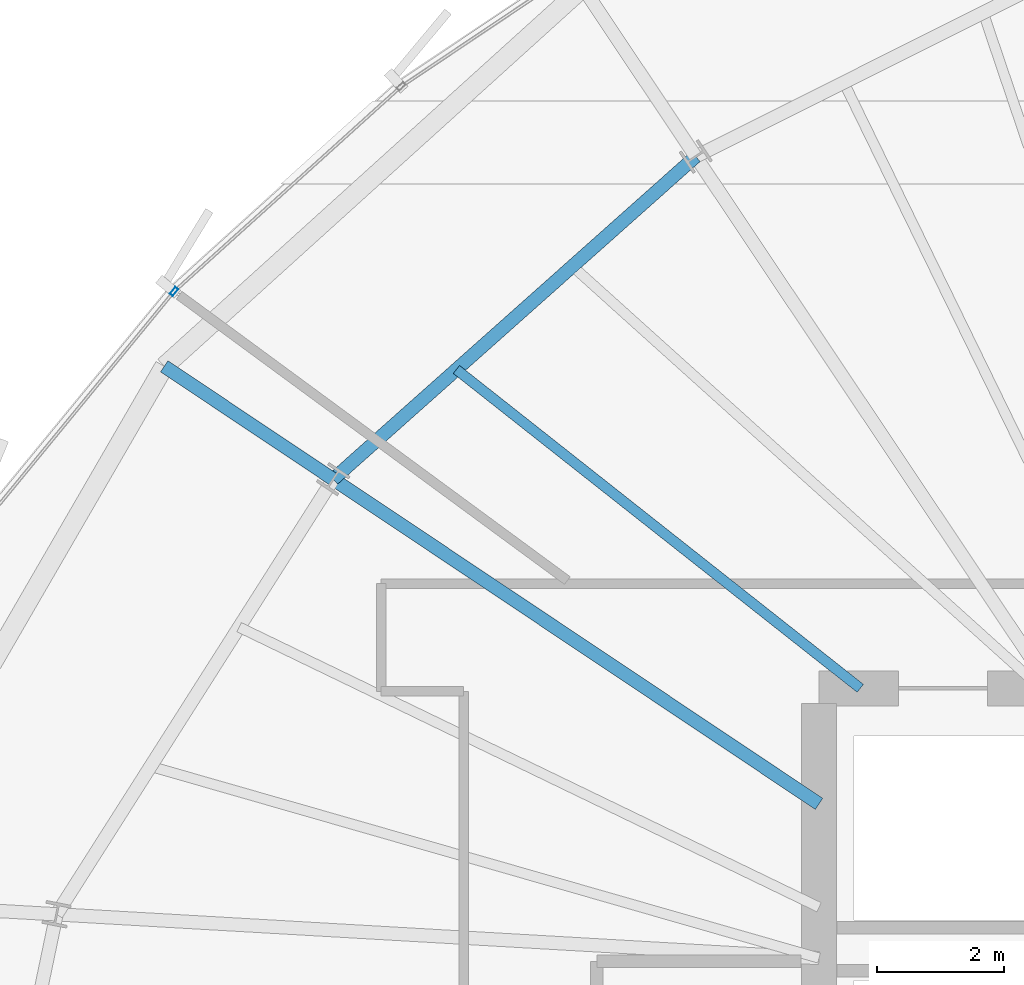
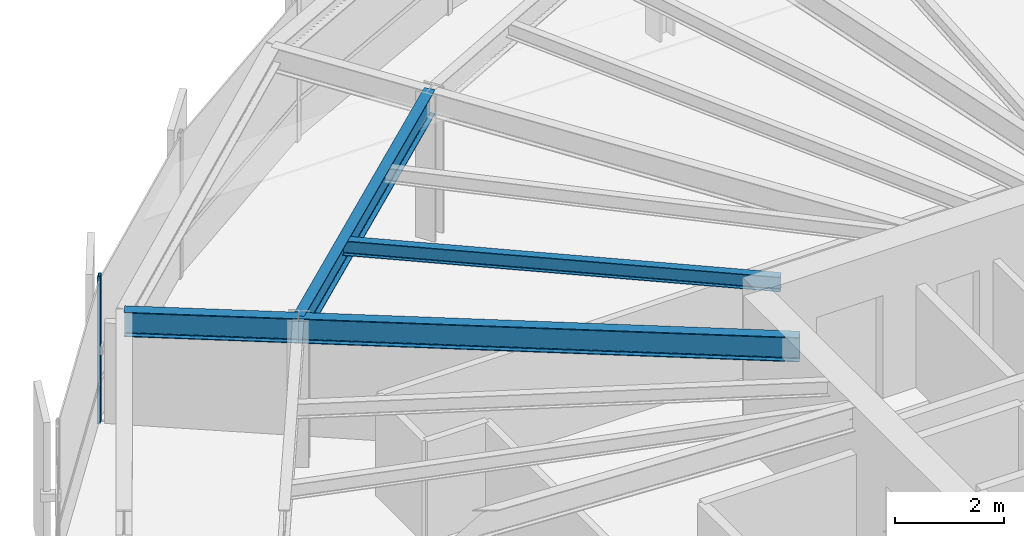
# One storey, part 18 of 34: 4 beams, 1 member, 1 element without a shape of its own.
"""IFC4 building model written with IfcOpenShell, lengths in metres."""

from ifc_helpers import new_model, si_unit, direction, frame, origin, origin_2d, place, context, subcontext, project, spatial, hollow_rectangle, i_section, extrude, source, transform, mapped, material, layer, layer_set, material_profile, profile_set, type_object, element, aggregate, save


model = new_model("IFC4")

# Units and contexts
model_context = context("Model", 3, precision=1e-05, world=origin(), true_north=direction((0.0, 1.0)))
body_context = subcontext(model_context, "Body", "Model", "MODEL_VIEW")
ifc_project = project(units=[si_unit("LENGTHUNIT", "METRE"), si_unit("AREAUNIT", "SQUARE_METRE"), si_unit("VOLUMEUNIT", "CUBIC_METRE"), si_unit("PLANEANGLEUNIT", "RADIAN"), si_unit("MASSUNIT", "GRAM", prefix="KILO"), si_unit("THERMODYNAMICTEMPERATUREUNIT", "KELVIN")], contexts=[model_context])

# Site, building, storey
site_placement = place(None, origin())
site = spatial("IfcSite", under=ifc_project, at=site_placement, CompositionType="ELEMENT")
building_placement = place(site_placement, origin())
building = spatial("IfcBuilding", under=site, at=building_placement, Name="Kethvar Cultural Tower", CompositionType="ELEMENT")
storey_placement = place(building_placement, frame((0.0, 0.0, 153.64990234375)))
storey = spatial("IfcBuildingStorey", under=building, at=storey_placement, Name="L39", CompositionType="ELEMENT", Elevation=153.64990234375)

# Beams
ifc_material_1 = material(Name="Steel S355J2", Category="steel")
ifc_material_profile_1 = material_profile(ifc_material_1, i_section(OverallWidth=0.2099609375, OverallDepth=0.550048828125, WebThickness=0.010986328125, FlangeThickness=0.01708984375, FilletRadius=0.02392578125, at=origin_2d()), Name="Steel S355J2 — IPE550")
ifc_profile_set_1 = profile_set([ifc_material_profile_1], Name="Steel S355J2 — IPE550")
beam_type_1 = type_object("IfcBeamType", Name="BM-IPE550", PredefinedType="BEAM", material=ifc_profile_set_1)
shared_shape_1 = source(origin(), body_context, "Body", "SweptSolid", [
    extrude(i_section(OverallWidth=0.2099609375, OverallDepth=0.550048828125, WebThickness=0.010986328125, FlangeThickness=0.01708984375, FilletRadius=0.02392578125, at=origin_2d()), origin(), (0.0, 0.0, 1.0), 3.199951171875),
])
beam_1_placement = place(storey_placement, frame((30.345947265625, 38.794189453125, 3.023193359375), z_axis=(-0.831462943996, 0.555580212716, 0.0), x_axis=(-0.555580212716, -0.831462943996, 0.0)))
element("IfcBeam", 1, at=beam_1_placement, inside=storey, type_object=beam_type_1, Name="L39 Perimeter Cantilever Beam RC-07", PredefinedType="BEAM", context=body_context, shape_type="MappedRepresentation", body=[
    mapped(shared_shape_1, transform((0.0, 0.0, 0.0), scale=1.0)),
])
shared_shape_2 = source(origin(), body_context, "Body", "SweptSolid", [
    extrude(i_section(OverallWidth=0.2099609375, OverallDepth=0.550048828125, WebThickness=0.010986328125, FlangeThickness=0.01708984375, FilletRadius=0.02392578125, at=origin_2d()), origin(), (0.0, 0.0, 1.0), 9.205322265625),
])
beam_2_placement = place(storey_placement, frame((38.0, 33.679931640625, 3.023193359375), z_axis=(-0.831470451236, 0.555568977465, 0.0), x_axis=(-0.555568977465, -0.831470451236, 0.0)))
element("IfcBeam", 2, at=beam_2_placement, inside=storey, type_object=beam_type_1, Name="L39 Primary Radial Beam RB-07", PredefinedType="BEAM", context=body_context, shape_type="MappedRepresentation", body=[
    mapped(shared_shape_2, transform((0.0, 0.0, 0.0), scale=1.0)),
])
shared_shape_3 = source(origin(), body_context, "Body", "SweptSolid", [
    extrude(i_section(OverallWidth=0.2099609375, OverallDepth=0.550048828125, WebThickness=0.010986328125, FlangeThickness=0.01708984375, FilletRadius=0.02392578125, at=origin_2d()), origin(), (0.0, 0.0, 1.0), 7.64599609375),
])
beam_3_placement = place(storey_placement, frame((36.0576171875, 43.877197265625, 3.023193359375), z_axis=(-0.747021617367, -0.66479974668, 0.0), x_axis=(0.66479974668, -0.747021617367, 0.0)))
element("IfcBeam", 3, at=beam_3_placement, inside=storey, type_object=beam_type_1, Name="L39 Column Ring Tie Beam CR-06", PredefinedType="BEAM", context=body_context, shape_type="MappedRepresentation", body=[
    mapped(shared_shape_3, transform((0.0, 0.0, 0.0), scale=1.0)),
])
ifc_material_profile_2 = material_profile(ifc_material_1, i_section(OverallWidth=0.159912109375, OverallDepth=0.330078125, WebThickness=0.007568359375, FlangeThickness=0.011474609375, FilletRadius=0.01806640625, at=origin_2d()), Name="Steel S355J2 — IPE330")
ifc_profile_set_2 = profile_set([ifc_material_profile_2], Name="Steel S355J2 — IPE330")
beam_type_2 = type_object("IfcBeamType", Name="BM-J330", PredefinedType="JOIST", material=ifc_profile_set_2)
shared_shape_4 = source(origin(), body_context, "Body", "SweptSolid", [
    extrude(i_section(OverallWidth=0.159912109375, OverallDepth=0.330078125, WebThickness=0.007568359375, FlangeThickness=0.011474609375, FilletRadius=0.01806640625, at=origin_2d()), origin(), (0.0, 0.0, 1.0), 8.105712890625),
])
beam_4_placement = place(storey_placement, frame((38.64990234375, 35.5, 3.133056640625), z_axis=(-0.784895872164, 0.619627686486, 0.0), x_axis=(-0.619627686486, -0.784895872164, 0.0)))
element("IfcBeam", 4, at=beam_4_placement, inside=storey, type_object=beam_type_2, Name="L39 Composite Floor Joist J-06B", PredefinedType="JOIST", context=body_context, shape_type="MappedRepresentation", body=[
    mapped(shared_shape_4, transform((0.0, 0.0, 0.0), scale=1.0)),
])

# Curtain wall, member
ifc_material_2 = material(Name="Aluminium 6063-T6", Category="aluminium")
ifc_layer = layer(ifc_material_2, 0.179931640625, Name="Aluminium 6063-T6", Category="aluminium")
ifc_layer_set = layer_set([ifc_layer], Name="Aluminium 6063-T6 (180 mm)")
curtain_wall_type = type_object("IfcCurtainWallType", Name="CW-SYS-04-Z34", PredefinedType="NOTDEFINED", material=ifc_layer_set)
curtain_wall_placement = place(storey_placement, origin())
curtain_wall = element("IfcCurtainWall", 5, at=curtain_wall_placement, inside=storey, type_object=curtain_wall_type, Name="L39 Curtain Wall Run 02", PredefinedType="NOTDEFINED")
ifc_material_profile_3 = material_profile(ifc_material_2, hollow_rectangle(XDim=0.06005859375, YDim=0.139892578125, WallThickness=0.0048828125, at=origin_2d()), Name="Aluminium 6063-T6 — RHS140x60x5")
ifc_profile_set_3 = profile_set([ifc_material_profile_3], Name="Aluminium 6063-T6 — RHS140x60x5")
member_type = type_object("IfcMemberType", Name="CW-SYS-04-Z34-MUL", PredefinedType="MULLION", material=ifc_profile_set_3)
shared_shape_5 = source(origin(), body_context, "Body", "SweptSolid", [
    extrude(hollow_rectangle(XDim=0.06005859375, YDim=0.139892578125, WallThickness=0.0048828125, at=origin_2d()), origin(), (0.0, 0.0, 1.0), 3.300048828125),
])
member_placement = place(storey_placement, frame((27.839111328125, 41.751220703125, 0.0), z_axis=(0.0, 0.0, 1.0), x_axis=(0.772955089162, -0.634460739636, 0.0)))
member = element("IfcMember", 6, at=member_placement, type_object=member_type, Name="CW-L39-R02 Mullion 6", PredefinedType="MULLION", context=body_context, shape_type="MappedRepresentation", body=[
    mapped(shared_shape_5, transform((0.0, 0.0, 0.0), scale=1.0)),
])
aggregate(curtain_wall, [member])

save(model, "model.ifc")
